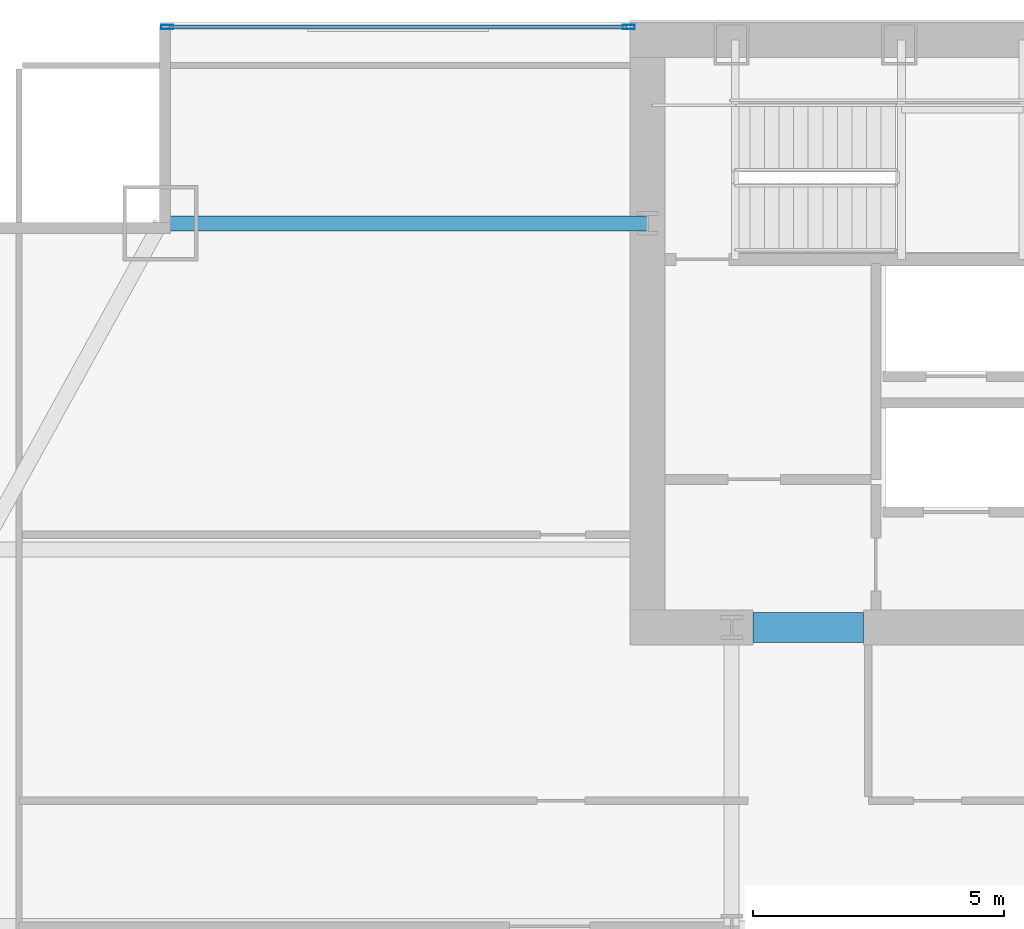
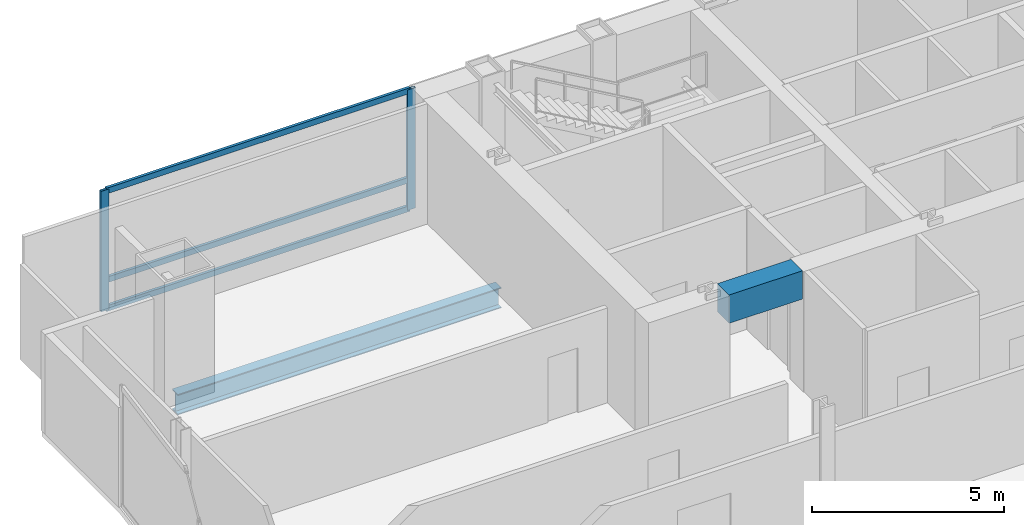
# One storey, part 18 of 30: 5 members, 2 beams, 1 element without a shape of its own.
"""IFC4 building model written with IfcOpenShell, lengths in metres."""

from ifc_helpers import new_model, si_unit, direction, frame, origin, origin_2d, place, context, subcontext, project, spatial, rectangle, hollow_rectangle, i_section, extrude, material, material_profile, profile_set, type_object, element, aggregate, save


model = new_model("IFC4")

# Units and contexts
model_context = context("Model", 3, precision=1e-05, world=origin(), true_north=direction((0.0, 1.0)))
body_context = subcontext(model_context, "Body", "Model", "MODEL_VIEW")
ifc_project = project(units=[si_unit("LENGTHUNIT", "METRE"), si_unit("AREAUNIT", "SQUARE_METRE"), si_unit("VOLUMEUNIT", "CUBIC_METRE"), si_unit("PLANEANGLEUNIT", "RADIAN"), si_unit("MASSUNIT", "GRAM", prefix="KILO")], contexts=[model_context])

# Site, building, storey
site_placement = place(None, origin())
site = spatial("IfcSite", under=ifc_project, at=site_placement, CompositionType="ELEMENT")
building_placement = place(site_placement, origin())
building = spatial("IfcBuilding", under=site, at=building_placement, Name="Khoronbel Lancet Exchange", CompositionType="ELEMENT")
storey_placement = place(building_placement, frame((0.0, 0.0, 98.60009765625)))
storey = spatial("IfcBuildingStorey", under=building, at=storey_placement, Name="L23", CompositionType="ELEMENT", Elevation=98.60009765625)

# Beams
ifc_material_1 = material(Name="Concrete C80/95", Category="concrete")
ifc_material_profile_1 = material_profile(ifc_material_1, rectangle(XDim=0.60009765625, YDim=0.89990234375, at=origin_2d()), Name="RC 600x900")
ifc_profile_set_1 = profile_set([ifc_material_profile_1], Name="Concrete C80/95")
beam_type_1 = type_object("IfcBeamType", Name="BM-BL1", PredefinedType="LINTEL", material=ifc_profile_set_1)
beam_1_placement = place(storey_placement, frame((18.64990234375, 41.64990234375, 3.369873046875), z_axis=(1.0, 0.0, 0.0), x_axis=(0.0, 1.0, 0.0)))
element("IfcBeam", 1, at=beam_1_placement, inside=storey, type_object=beam_type_1, Name="Level L23 rear core coupling lintel L1", PredefinedType="LINTEL", context=body_context, shape_type="SweptSolid", body=[
    extrude(rectangle(XDim=0.60009765625, YDim=0.89990234375, at=origin_2d()), origin(), (0.0, 0.0, 1.0), 2.2001953125),
])
ifc_material_2 = material(Name="Steel S355", Category="steel")
ifc_material_profile_2 = material_profile(ifc_material_2, i_section(OverallWidth=0.300048828125, OverallDepth=0.64990234375, WebThickness=0.01611328125, FlangeThickness=0.031005859375, at=origin_2d()), Name="HEB 650")
ifc_profile_set_2 = profile_set([ifc_material_profile_2], Name="Steel S355")
beam_type_2 = type_object("IfcBeamType", Name="BM-BSP1", PredefinedType="SPANDREL", material=ifc_profile_set_2)
beam_2_placement = place(storey_placement, frame((6.85009765625, 49.699951171875, -0.505126953125), z_axis=(1.0, 0.0, 0.0), x_axis=(0.0, 1.0, 0.0)))
element("IfcBeam", 2, at=beam_2_placement, inside=storey, type_object=beam_type_2, Name="Level L23 north flank tie spandrel SP22", PredefinedType="SPANDREL", context=body_context, shape_type="SweptSolid", body=[
    extrude(i_section(OverallWidth=0.300048828125, OverallDepth=0.64990234375, WebThickness=0.01611328125, FlangeThickness=0.031005859375, at=origin_2d()), origin(), (0.0, 0.0, 1.0), 9.699951171875),
])

# Curtain wall, members
ifc_material_3 = material(Name="Low-E Solar Control Insulating Glass", Category="glass")
curtain_wall_type = type_object("IfcCurtainWallType", Name="CW-2", PredefinedType="NOTDEFINED", material=ifc_material_3)
curtain_wall_placement = place(storey_placement, origin())
curtain_wall = element("IfcCurtainWall", 3, at=curtain_wall_placement, inside=storey, type_object=curtain_wall_type, Name="Unitised curtain wall CW-L23-NWFLK", PredefinedType="NOTDEFINED")
ifc_material_4 = material(Name="Bronze-Anodised Aluminium 6063-T6", Category="aluminium")
ifc_material_profile_3 = material_profile(ifc_material_4, hollow_rectangle(XDim=0.0849609375, YDim=0.239990234375, WallThickness=0.006103515625, at=origin_2d()), Name="ALU MULLION 85x240")
ifc_profile_set_3 = profile_set([ifc_material_profile_3], Name="Bronze-Anodised Aluminium 6063-T6")
member_type_1 = type_object("IfcMemberType", Name="MEM-CWM1", PredefinedType="MULLION", material=ifc_profile_set_3)
member_1_placement = place(storey_placement, frame((16.177490234375, 53.610107421875, 0.0), z_axis=(0.0, 0.0, 1.0), x_axis=(0.0, -1.0, 0.0)))
member_1 = element("IfcMember", 4, at=member_1_placement, type_object=member_type_1, Name="CW2 mullion 1", PredefinedType="MULLION", context=body_context, shape_type="SweptSolid", body=[
    extrude(hollow_rectangle(XDim=0.0849609375, YDim=0.239990234375, WallThickness=0.006103515625, at=origin_2d()), origin(), (0.0, 0.0, 1.0), 3.81982421875),
])
member_2_placement = place(storey_placement, frame((6.982421875, 53.610107421875, 0.0), z_axis=(0.0, 0.0, 1.0), x_axis=(0.0, -1.0, 0.0)))
member_2 = element("IfcMember", 5, at=member_2_placement, type_object=member_type_1, Name="CW2 mullion 2", PredefinedType="MULLION", context=body_context, shape_type="SweptSolid", body=[
    extrude(hollow_rectangle(XDim=0.0849609375, YDim=0.239990234375, WallThickness=0.006103515625, at=origin_2d()), origin(), (0.0, 0.0, 1.0), 3.81982421875),
])
ifc_material_profile_4 = material_profile(ifc_material_4, hollow_rectangle(XDim=0.0849609375, YDim=0.179931640625, WallThickness=0.0048828125, at=origin_2d()), Name="ALU TRANSOM 85x180")
ifc_profile_set_4 = profile_set([ifc_material_profile_4], Name="Bronze-Anodised Aluminium 6063-T6")
member_type_2 = type_object("IfcMemberType", Name="MEM-CWT1", PredefinedType="USERDEFINED", material=ifc_profile_set_4)
member_3_placement = place(storey_placement, frame((16.135009765625, 53.610107421875, 0.04248046875), z_axis=(-1.0, 0.0, 0.0), x_axis=(0.0, -1.0, 0.0)))
member_3 = element("IfcMember", 6, at=member_3_placement, type_object=member_type_2, Name="CW2 transom 1.1", ObjectType="TRANSOM", PredefinedType="USERDEFINED", context=body_context, shape_type="SweptSolid", body=[
    extrude(hollow_rectangle(XDim=0.0849609375, YDim=0.179931640625, WallThickness=0.0048828125, at=origin_2d()), origin(), (0.0, 0.0, 1.0), 9.110107421875),
])
member_4_placement = place(storey_placement, frame((16.135009765625, 53.610107421875, 0.949951171875), z_axis=(-1.0, 0.0, 0.0), x_axis=(0.0, -1.0, 0.0)))
member_4 = element("IfcMember", 7, at=member_4_placement, type_object=member_type_2, Name="CW2 transom 1.2", ObjectType="TRANSOM", PredefinedType="USERDEFINED", context=body_context, shape_type="SweptSolid", body=[
    extrude(hollow_rectangle(XDim=0.0849609375, YDim=0.179931640625, WallThickness=0.0048828125, at=origin_2d()), origin(), (0.0, 0.0, 1.0), 9.110107421875),
])
member_5_placement = place(storey_placement, frame((16.135009765625, 53.610107421875, 3.77734375), z_axis=(-1.0, 0.0, 0.0), x_axis=(0.0, -1.0, 0.0)))
member_5 = element("IfcMember", 8, at=member_5_placement, type_object=member_type_2, Name="CW2 transom 1.3", ObjectType="TRANSOM", PredefinedType="USERDEFINED", context=body_context, shape_type="SweptSolid", body=[
    extrude(hollow_rectangle(XDim=0.0849609375, YDim=0.179931640625, WallThickness=0.0048828125, at=origin_2d()), origin(), (0.0, 0.0, 1.0), 9.110107421875),
])
aggregate(curtain_wall, [member_1, member_2, member_3, member_4, member_5])

save(model, "model.ifc")
